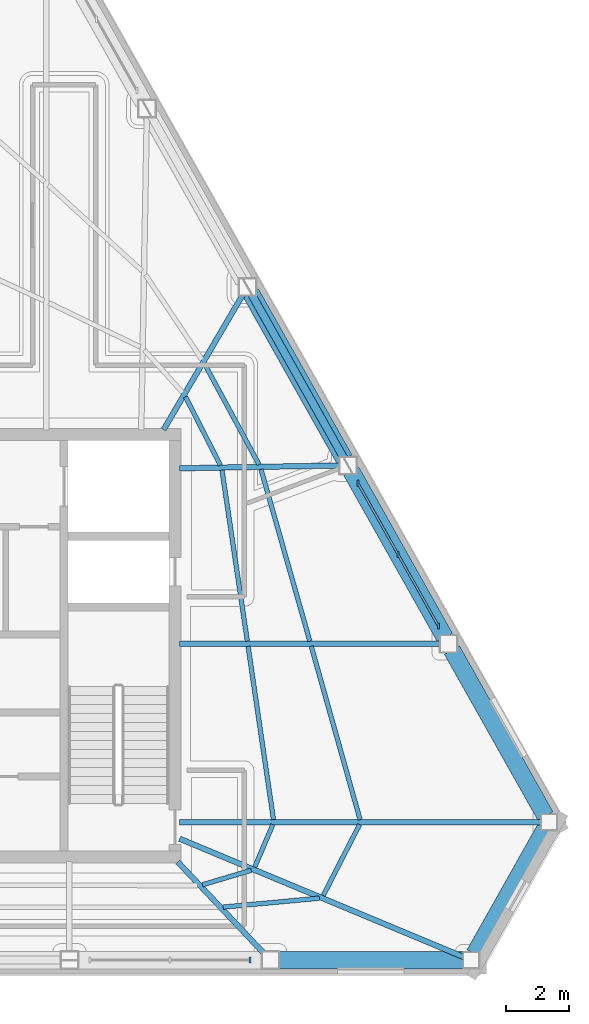
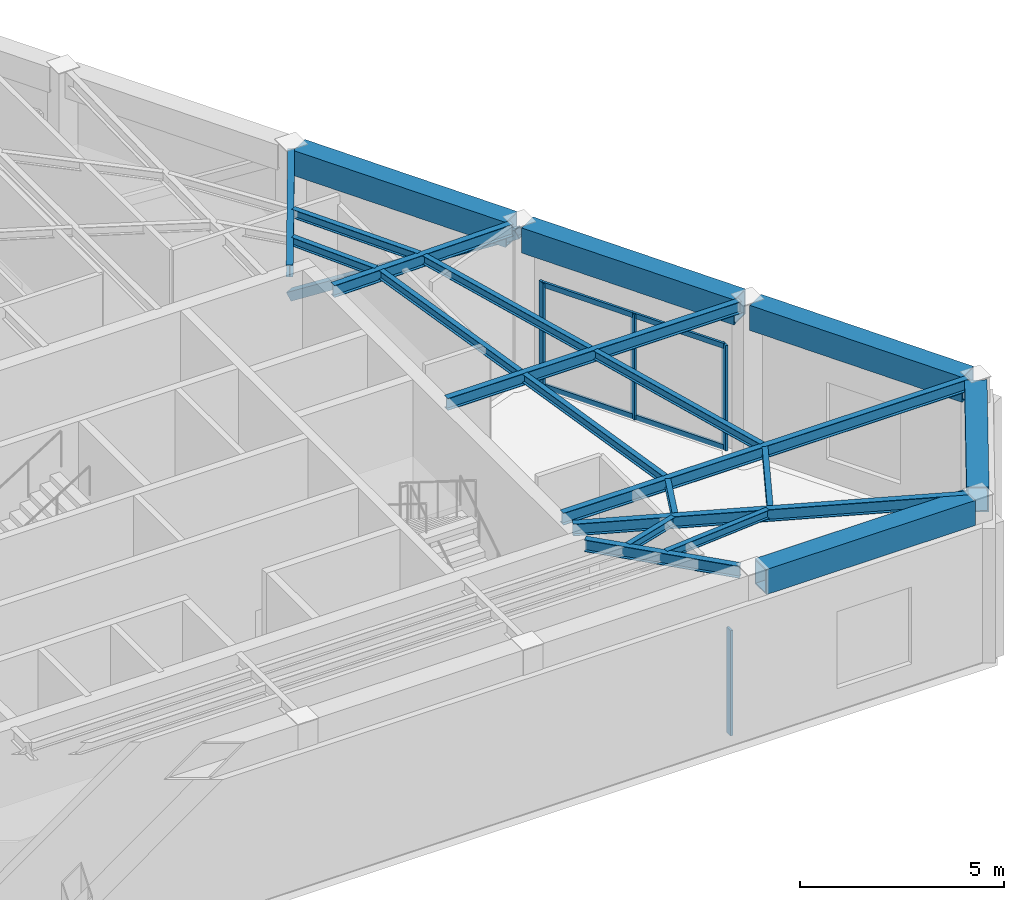
# One storey, part 4 of 15: 21 beams, 7 members, 2 elements without a shape of their own.
"""IFC4 building model written with IfcOpenShell, lengths in metres."""

from ifc_helpers import new_model, si_unit, direction, frame, origin, origin_2d, place, context, subcontext, project, spatial, rectangle, hollow_rectangle, i_section, extrude, material, layer, layer_set, material_profile, profile_set, type_object, element, aggregate, save


model = new_model("IFC4")

# Units and contexts
model_context = context("Model", 3, precision=1e-05, world=origin(), true_north=direction((0.0, 1.0)))
body_context = subcontext(model_context, "Body", "Model", "MODEL_VIEW")
ifc_project = project(units=[si_unit("LENGTHUNIT", "METRE"), si_unit("AREAUNIT", "SQUARE_METRE"), si_unit("VOLUMEUNIT", "CUBIC_METRE"), si_unit("PLANEANGLEUNIT", "RADIAN"), si_unit("MASSUNIT", "GRAM", prefix="KILO")], contexts=[model_context])

# Site, building, storey
site_placement = place(None, origin())
site = spatial("IfcSite", under=ifc_project, at=site_placement, CompositionType="ELEMENT")
building_placement = place(site_placement, origin())
building = spatial("IfcBuilding", under=site, at=building_placement, Name="Kavelnor Concourse Tower", CompositionType="ELEMENT")
storey_placement = place(building_placement, frame((0.0, 0.0, 304.949951171875)))
storey = spatial("IfcBuildingStorey", under=building, at=storey_placement, Name="L77", CompositionType="ELEMENT", Elevation=304.949951171875)

# Beams
ifc_material_1 = material(Name="Steel Grade 350", Category="steel")
ifc_material_profile_1 = material_profile(ifc_material_1, i_section(OverallWidth=0.14599609375, OverallDepth=0.256103515625, WebThickness=0.00634765625, FlangeThickness=0.010986328125, at=origin_2d()), Name="250UB37")
ifc_profile_set_1 = profile_set([ifc_material_profile_1], Name="Steel Grade 350")
beam_type_1 = type_object("IfcBeamType", Name="BM-JOIST-250", PredefinedType="JOIST", material=ifc_profile_set_1)
beam_1_placement = place(storey_placement, frame((48.583740234375, 8.52294921875, 4.64208984375), z_axis=(0.958428894954, 0.285331479715, 0.0), x_axis=(-0.285331479715, 0.958428894954, 0.0)))
element("IfcBeam", 1, at=beam_1_placement, inside=storey, type_object=beam_type_1, Name="L77 Secondary Composite Joist 07-1", PredefinedType="JOIST", context=body_context, shape_type="SweptSolid", body=[
    extrude(i_section(OverallWidth=0.14599609375, OverallDepth=0.256103515625, WebThickness=0.00634765625, FlangeThickness=0.010986328125, at=origin_2d()), origin(), (0.0, 0.0, 1.0), 1.611083984375),
])
beam_2_placement = place(storey_placement, frame((49.23876953125, 7.815185546875, 4.64208984375), z_axis=(0.995744197311, 0.092160151488, 0.0), x_axis=(-0.092160151488, 0.995744197311, 0.0)))
element("IfcBeam", 2, at=beam_2_placement, inside=storey, type_object=beam_type_1, Name="L77 Secondary Composite Joist 07-2", PredefinedType="JOIST", context=body_context, shape_type="SweptSolid", body=[
    extrude(i_section(OverallWidth=0.14599609375, OverallDepth=0.256103515625, WebThickness=0.00634765625, FlangeThickness=0.010986328125, at=origin_2d()), origin(), (0.0, 0.0, 1.0), 3.062255859375),
])
beam_3_placement = place(storey_placement, frame((50.23876953125, 9.08154296875, 4.64208984375), z_axis=(0.391408324652, 0.920217106662, 0.0), x_axis=(-0.920217106662, 0.391408324652, 0.0)))
element("IfcBeam", 3, at=beam_3_placement, inside=storey, type_object=beam_type_1, Name="L77 Secondary Composite Joist 08-1", PredefinedType="JOIST", context=body_context, shape_type="SweptSolid", body=[
    extrude(i_section(OverallWidth=0.14599609375, OverallDepth=0.256103515625, WebThickness=0.00634765625, FlangeThickness=0.010986328125, at=origin_2d()), origin(), (0.0, 0.0, 1.0), 1.4677734375),
])
beam_4_placement = place(storey_placement, frame((52.4072265625, 8.177978515625, 4.64208984375), z_axis=(0.4560879314, 0.88993471605, 0.0), x_axis=(-0.88993471605, 0.4560879314, 0.0)))
element("IfcBeam", 4, at=beam_4_placement, inside=storey, type_object=beam_type_1, Name="L77 Secondary Composite Joist 08-2", PredefinedType="JOIST", context=body_context, shape_type="SweptSolid", body=[
    extrude(i_section(OverallWidth=0.14599609375, OverallDepth=0.256103515625, WebThickness=0.00634765625, FlangeThickness=0.010986328125, at=origin_2d()), origin(), (0.0, 0.0, 1.0), 2.53564453125),
])
beam_5_placement = place(storey_placement, frame((50.83349609375, 10.588623046875, 4.64208984375), z_axis=(-0.144868491668, 0.989450918501, 0.0), x_axis=(-0.989450918501, -0.144868491668, 0.0)))
element("IfcBeam", 5, at=beam_5_placement, inside=storey, type_object=beam_type_1, Name="L77 Secondary Composite Joist 09-1", PredefinedType="JOIST", context=body_context, shape_type="SweptSolid", body=[
    extrude(i_section(OverallWidth=0.14599609375, OverallDepth=0.256103515625, WebThickness=0.00634765625, FlangeThickness=0.010986328125, at=origin_2d()), origin(), (0.0, 0.0, 1.0), 5.55126953125),
])
beam_6_placement = place(storey_placement, frame((53.578857421875, 10.58642578125, 4.64208984375), z_axis=(-0.271037737535, 0.962568722135, 0.0), x_axis=(-0.962568722135, -0.271037737535, 0.0)))
element("IfcBeam", 6, at=beam_6_placement, inside=storey, type_object=beam_type_1, Name="L77 Secondary Composite Joist 09-2", PredefinedType="JOIST", context=body_context, shape_type="SweptSolid", body=[
    extrude(i_section(OverallWidth=0.14599609375, OverallDepth=0.256103515625, WebThickness=0.00634765625, FlangeThickness=0.010986328125, at=origin_2d()), origin(), (0.0, 0.0, 1.0), 5.7109375),
])
beam_7_placement = place(storey_placement, frame((50.00537109375, 16.24365234375, 4.64208984375), z_axis=(-0.146695577191, 0.989181685856, 0.0), x_axis=(-0.989181685856, -0.146695577191, 0.0)))
element("IfcBeam", 7, at=beam_7_placement, inside=storey, type_object=beam_type_1, Name="L77 Secondary Composite Joist 10-1", PredefinedType="JOIST", context=body_context, shape_type="SweptSolid", body=[
    extrude(i_section(OverallWidth=0.14599609375, OverallDepth=0.256103515625, WebThickness=0.00634765625, FlangeThickness=0.010986328125, at=origin_2d()), origin(), (0.0, 0.0, 1.0), 5.48046875),
])
beam_8_placement = place(storey_placement, frame((51.986083984375, 16.241455078125, 4.64208984375), z_axis=(-0.273240371341, 0.961945788218, 0.0), x_axis=(-0.961945788218, -0.273240371341, 0.0)))
element("IfcBeam", 8, at=beam_8_placement, inside=storey, type_object=beam_type_1, Name="L77 Secondary Composite Joist 10-2", PredefinedType="JOIST", context=body_context, shape_type="SweptSolid", body=[
    extrude(i_section(OverallWidth=0.14599609375, OverallDepth=0.256103515625, WebThickness=0.00634765625, FlangeThickness=0.010986328125, at=origin_2d()), origin(), (0.0, 0.0, 1.0), 5.6630859375),
])
beam_9_placement = place(storey_placement, frame((49.152099609375, 21.819091796875, 4.64208984375), z_axis=(-0.454369794015, 0.89081316239, 0.0), x_axis=(-0.89081316239, -0.454369794015, 0.0)))
element("IfcBeam", 9, at=beam_9_placement, inside=storey, type_object=beam_type_1, Name="L77 Secondary Composite Joist 11-1", PredefinedType="JOIST", context=body_context, shape_type="SweptSolid", body=[
    extrude(i_section(OverallWidth=0.14599609375, OverallDepth=0.256103515625, WebThickness=0.00634765625, FlangeThickness=0.010986328125, at=origin_2d()), origin(), (0.0, 0.0, 1.0), 2.437744140625),
])
beam_10_placement = place(storey_placement, frame((50.377197265625, 21.840087890625, 4.64208984375), z_axis=(-0.476365675217, 0.879247259578, 0.0), x_axis=(-0.879247259578, -0.476365675217, 0.0)))
element("IfcBeam", 10, at=beam_10_placement, inside=storey, type_object=beam_type_1, Name="L77 Secondary Composite Joist 11-2", PredefinedType="JOIST", context=body_context, shape_type="SweptSolid", body=[
    extrude(i_section(OverallWidth=0.14599609375, OverallDepth=0.256103515625, WebThickness=0.00634765625, FlangeThickness=0.010986328125, at=origin_2d()), origin(), (0.0, 0.0, 1.0), 3.621337890625),
])
ifc_material_profile_2 = material_profile(ifc_material_1, i_section(OverallWidth=0.172119140625, OverallDepth=0.35888671875, WebThickness=0.008056640625, FlangeThickness=0.012939453125, at=origin_2d()), Name="360UB56")
ifc_profile_set_2 = profile_set([ifc_material_profile_2], Name="Steel Grade 350")
beam_type_2 = type_object("IfcBeamType", Name="BM-PRIMARY-360", PredefinedType="BEAM", material=ifc_profile_set_2)
beam_11_placement = place(storey_placement, frame((47.798583984375, 9.2490234375, 4.590576171875), z_axis=(0.685810562862, -0.727780098565, 0.0), x_axis=(0.727780098565, 0.685810562862, 0.0)))
element("IfcBeam", 11, at=beam_11_placement, inside=storey, type_object=beam_type_2, Name="L77 Primary Floor Girder F1-B5", PredefinedType="BEAM", context=body_context, shape_type="SweptSolid", body=[
    extrude(i_section(OverallWidth=0.172119140625, OverallDepth=0.35888671875, WebThickness=0.008056640625, FlangeThickness=0.012939453125, at=origin_2d()), origin(), (0.0, 0.0, 1.0), 3.96142578125),
])
beam_12_placement = place(storey_placement, frame((47.863037109375, 9.982177734375, 4.590576171875), z_axis=(0.923120563069, -0.384510631893, 0.0), x_axis=(0.384510631893, 0.923120563069, 0.0)))
element("IfcBeam", 12, at=beam_12_placement, inside=storey, type_object=beam_type_2, Name="L77 Primary Floor Girder F1-B6", PredefinedType="BEAM", context=body_context, shape_type="SweptSolid", body=[
    extrude(i_section(OverallWidth=0.172119140625, OverallDepth=0.35888671875, WebThickness=0.008056640625, FlangeThickness=0.012939453125, at=origin_2d()), origin(), (0.0, 0.0, 1.0), 9.76416015625),
])
beam_13_placement = place(storey_placement, frame((47.860107421875, 10.507568359375, 4.590576171875), z_axis=(1.0, 0.0, 0.0), x_axis=(0.0, 1.0, 0.0)))
element("IfcBeam", 13, at=beam_13_placement, inside=storey, type_object=beam_type_2, Name="L77 Primary Floor Girder F2-B0", PredefinedType="BEAM", context=body_context, shape_type="SweptSolid", body=[
    extrude(i_section(OverallWidth=0.172119140625, OverallDepth=0.35888671875, WebThickness=0.008056640625, FlangeThickness=0.012939453125, at=origin_2d()), origin(), (0.0, 0.0, 1.0), 11.482177734375),
])
beam_14_placement = place(storey_placement, frame((47.860107421875, 16.16259765625, 4.590576171875), z_axis=(1.0, 0.0, 0.0), x_axis=(0.0, 1.0, 0.0)))
element("IfcBeam", 14, at=beam_14_placement, inside=storey, type_object=beam_type_2, Name="L77 Primary Floor Girder F2-B1", PredefinedType="BEAM", context=body_context, shape_type="SweptSolid", body=[
    extrude(i_section(OverallWidth=0.172119140625, OverallDepth=0.35888671875, WebThickness=0.008056640625, FlangeThickness=0.012939453125, at=origin_2d()), origin(), (0.0, 0.0, 1.0), 8.297119140625),
])
beam_15_placement = place(storey_placement, frame((47.860107421875, 21.72216796875, 4.590576171875), z_axis=(0.999839684786, 0.017905438481, 0.0), x_axis=(-0.017905438481, 0.999839684786, 0.0)))
element("IfcBeam", 15, at=beam_15_placement, inside=storey, type_object=beam_type_2, Name="L77 Primary Floor Girder F2-B2", PredefinedType="BEAM", context=body_context, shape_type="SweptSolid", body=[
    extrude(i_section(OverallWidth=0.172119140625, OverallDepth=0.35888671875, WebThickness=0.008056640625, FlangeThickness=0.012939453125, at=origin_2d()), origin(), (0.0, 0.0, 1.0), 5.113037109375),
])
beam_16_placement = place(storey_placement, frame((47.350830078125, 22.945556640625, 4.590576171875), z_axis=(0.506127747911, 0.862458522362, 0.0), x_axis=(-0.862458522362, 0.506127747911, 0.0)))
element("IfcBeam", 16, at=beam_16_placement, inside=storey, type_object=beam_type_2, Name="L77 Primary Floor Girder F2-B3", PredefinedType="BEAM", context=body_context, shape_type="SweptSolid", body=[
    extrude(i_section(OverallWidth=0.172119140625, OverallDepth=0.35888671875, WebThickness=0.008056640625, FlangeThickness=0.012939453125, at=origin_2d()), origin(), (0.0, 0.0, 1.0), 4.9873046875),
])
ifc_material_profile_3 = material_profile(ifc_material_1, hollow_rectangle(XDim=0.550048828125, YDim=0.75, WallThickness=0.034912109375, at=origin_2d()), Name="RHS 750x550x35")
ifc_profile_set_3 = profile_set([ifc_material_profile_3], Name="Steel Grade 350")
beam_type_3 = type_object("IfcBeamType", Name="BM-XFER-CHORD-750", PredefinedType="BEAM", material=ifc_profile_set_3)
beam_17_placement = place(storey_placement, frame((50.9580078125, 6.135009765625, 4.39501953125), z_axis=(1.0, 0.0, 0.0), x_axis=(0.0, 1.0, 0.0)))
element("IfcBeam", 17, at=beam_17_placement, inside=storey, type_object=beam_type_3, Name="L77 Perimeter Tube Spandrel Beam F1-B5", PredefinedType="BEAM", context=body_context, shape_type="SweptSolid", body=[
    extrude(hollow_rectangle(XDim=0.550048828125, YDim=0.75, WallThickness=0.034912109375, at=origin_2d()), origin(), (0.0, 0.0, 1.0), 5.91650390625),
])
beam_18_placement = place(storey_placement, frame((59.451904296875, 10.70361328125, 4.39501953125), z_axis=(-0.490727487572, 0.871313108441, 0.0), x_axis=(-0.871313108441, -0.490727487572, 0.0)))
element("IfcBeam", 18, at=beam_18_placement, inside=storey, type_object=beam_type_3, Name="L77 Perimeter Tube Spandrel Beam F2-B0", PredefinedType="BEAM", context=body_context, shape_type="SweptSolid", body=[
    extrude(hollow_rectangle(XDim=0.550048828125, YDim=0.75, WallThickness=0.034912109375, at=origin_2d()), origin(), (0.0, 0.0, 1.0), 6.040283203125),
])
beam_19_placement = place(storey_placement, frame((56.266845703125, 16.3583984375, 4.39501953125), z_axis=(-0.490710205823, 0.871322841375, 0.0), x_axis=(-0.871322841375, -0.490710205823, 0.0)))
element("IfcBeam", 19, at=beam_19_placement, inside=storey, type_object=beam_type_3, Name="L77 Perimeter Tube Spandrel Beam F2-B1", PredefinedType="BEAM", context=body_context, shape_type="SweptSolid", body=[
    extrude(hollow_rectangle(XDim=0.550048828125, YDim=0.75, WallThickness=0.034912109375, at=origin_2d()), origin(), (0.0, 0.0, 1.0), 6.04052734375),
])
beam_20_placement = place(storey_placement, frame((53.08203125, 22.013427734375, 4.39501953125), z_axis=(-0.490727487572, 0.871313108441, 0.0), x_axis=(-0.871313108441, -0.490727487572, 0.0)))
element("IfcBeam", 20, at=beam_20_placement, inside=storey, type_object=beam_type_3, Name="L77 Perimeter Tube Spandrel Beam F2-B2", PredefinedType="BEAM", context=body_context, shape_type="SweptSolid", body=[
    extrude(hollow_rectangle(XDim=0.550048828125, YDim=0.75, WallThickness=0.034912109375, at=origin_2d()), origin(), (0.0, 0.0, 1.0), 6.040283203125),
])
beam_21_placement = place(storey_placement, frame((57.2099609375, 6.3310546875, 4.39501953125), z_axis=(0.490748316235, 0.871301377316, 0.0), x_axis=(-0.871301377316, 0.490748316235, 0.0)))
element("IfcBeam", 21, at=beam_21_placement, inside=storey, type_object=beam_type_3, Name="L77 Chamfer Facet Spandrel Beam C2", PredefinedType="BEAM", context=body_context, shape_type="SweptSolid", body=[
    extrude(hollow_rectangle(XDim=0.550048828125, YDim=0.75, WallThickness=0.034912109375, at=origin_2d()), origin(), (0.0, 0.0, 1.0), 4.568359375),
])

# Curtain wall, member
ifc_material_2 = material(Name="Anodised aluminium 6063-T6", Category="aluminium")
ifc_layer = layer(ifc_material_2, 0.195068359375, Name="Anodised aluminium 6063-T6")
ifc_layer_set = layer_set([ifc_layer], Name="Anodised aluminium 6063-T6")
curtain_wall_type = type_object("IfcCurtainWallType", Name="CW-OBSERVATION-L77", PredefinedType="NOTDEFINED", material=ifc_layer_set)
curtain_wall_1_placement = place(storey_placement, origin())
curtain_wall_1 = element("IfcCurtainWall", 22, at=curtain_wall_1_placement, inside=storey, type_object=curtain_wall_type, Name="L77 Feature Curtain Wall F1-B4", PredefinedType="NOTDEFINED")
ifc_material_profile_4 = material_profile(ifc_material_2, rectangle(XDim=0.06494140625, YDim=0.195068359375, at=origin_2d()), Name="AL-MULL 65x195")
ifc_profile_set_4 = profile_set([ifc_material_profile_4], Name="Anodised aluminium 6063-T6")
member_type_1 = type_object("IfcMemberType", Name="CW-OBSERVATION-L77-MULL", PredefinedType="MULLION", material=ifc_profile_set_4)
member_1_placement = place(storey_placement, frame((50.0830078125, 6.135009765625, 0.0), z_axis=(0.0, 0.0, 1.0), x_axis=(1.0, 0.0, 0.0)))
member_1 = element("IfcMember", 23, at=member_1_placement, type_object=member_type_1, Name="L77 Feature Curtain Wall F1-B4 Mullion 2", PredefinedType="MULLION", context=body_context, shape_type="SweptSolid", body=[
    extrude(rectangle(XDim=0.06494140625, YDim=0.195068359375, at=origin_2d()), origin(), (0.0, 0.0, 1.0), 3.150146484375),
])
aggregate(curtain_wall_1, [member_1])

# Curtain wall, members
curtain_wall_2_placement = place(storey_placement, origin())
curtain_wall_2 = element("IfcCurtainWall", 24, at=curtain_wall_2_placement, inside=storey, type_object=curtain_wall_type, Name="L77 Feature Curtain Wall F2-B1", PredefinedType="NOTDEFINED")
member_2_placement = place(storey_placement, frame((56.058349609375, 16.72900390625, 0.0), z_axis=(0.0, 0.0, 1.0), x_axis=(1.0, 0.0, 0.0)))
member_2 = element("IfcMember", 25, at=member_2_placement, type_object=member_type_1, Name="L77 Feature Curtain Wall F2-B1 Mullion 0", PredefinedType="MULLION", context=body_context, shape_type="SweptSolid", body=[
    extrude(rectangle(XDim=0.06494140625, YDim=0.195068359375, at=origin_2d()), origin(), (0.0, 0.0, 1.0), 3.150146484375),
])
member_3_placement = place(storey_placement, frame((54.784912109375, 18.989990234375, 0.0), z_axis=(0.0, 0.0, 1.0), x_axis=(1.0, 0.0, 0.0)))
member_3 = element("IfcMember", 26, at=member_3_placement, type_object=member_type_1, Name="L77 Feature Curtain Wall F2-B1 Mullion 1", PredefinedType="MULLION", context=body_context, shape_type="SweptSolid", body=[
    extrude(rectangle(XDim=0.06494140625, YDim=0.195068359375, at=origin_2d()), origin(), (0.0, 0.0, 1.0), 3.150146484375),
])
member_4_placement = place(storey_placement, frame((53.511474609375, 21.251220703125, 0.0), z_axis=(0.0, 0.0, 1.0), x_axis=(1.0, 0.0, 0.0)))
member_4 = element("IfcMember", 27, at=member_4_placement, type_object=member_type_1, Name="L77 Feature Curtain Wall F2-B1 Mullion 2", PredefinedType="MULLION", context=body_context, shape_type="SweptSolid", body=[
    extrude(rectangle(XDim=0.06494140625, YDim=0.195068359375, at=origin_2d()), origin(), (0.0, 0.0, 1.0), 3.150146484375),
])
ifc_material_profile_5 = material_profile(ifc_material_2, rectangle(XDim=0.06494140625, YDim=0.155029296875, at=origin_2d()), Name="AL-TRAN 65x155")
ifc_profile_set_5 = profile_set([ifc_material_profile_5], Name="Anodised aluminium 6063-T6")
member_type_2 = type_object("IfcMemberType", Name="CW-OBSERVATION-L77-TRAN", PredefinedType="USERDEFINED", material=ifc_profile_set_5)
member_5_placement = place(storey_placement, frame((56.058349609375, 16.72900390625, 0.06005859375), z_axis=(-0.49071900726, 0.871317884537, 0.0), x_axis=(-0.871317884537, -0.49071900726, 0.0)))
member_5 = element("IfcMember", 28, at=member_5_placement, type_object=member_type_2, Name="L77 Feature Curtain Wall F2-B1 Transom 0-BOT", ObjectType="TRANSOM", PredefinedType="USERDEFINED", context=body_context, shape_type="SweptSolid", body=[
    extrude(rectangle(XDim=0.06494140625, YDim=0.155029296875, at=origin_2d()), origin(), (0.0, 0.0, 1.0), 5.190185546875),
])
member_6_placement = place(storey_placement, frame((56.058349609375, 16.72900390625, 3.090087890625), z_axis=(-0.49071900726, 0.871317884537, 0.0), x_axis=(-0.871317884537, -0.49071900726, 0.0)))
member_6 = element("IfcMember", 29, at=member_6_placement, type_object=member_type_2, Name="L77 Feature Curtain Wall F2-B1 Transom 0-TOP", ObjectType="TRANSOM", PredefinedType="USERDEFINED", context=body_context, shape_type="SweptSolid", body=[
    extrude(rectangle(XDim=0.06494140625, YDim=0.155029296875, at=origin_2d()), origin(), (0.0, 0.0, 1.0), 5.190185546875),
])
aggregate(curtain_wall_2, [member_2, member_3, member_4, member_5, member_6])

# Member
ifc_material_profile_6 = material_profile(ifc_material_1, hollow_rectangle(XDim=0.25, YDim=0.25, WallThickness=0.01611328125, at=origin_2d()), Name="SHS 250x250x16")
ifc_profile_set_6 = profile_set([ifc_material_profile_6], Name="Steel Grade 350")
member_type_3 = type_object("IfcMemberType", Name="MBR-TUBE-DIAG-Z4", PredefinedType="BRACE", material=ifc_profile_set_6)
member_7_placement = place(storey_placement, frame((50.00732421875, 27.472412109375, 0.219970703125), z_axis=(0.412722701899, -0.732783684201, 0.541006509671), x_axis=(0.871305170482, 0.490741581579, 0.0)))
element("IfcMember", 30, at=member_7_placement, inside=storey, type_object=member_type_3, Name="L77 Framed-Tube Bracing Diagonal F2-B2", PredefinedType="BRACE", context=body_context, shape_type="SweptSolid", body=[
    extrude(hollow_rectangle(XDim=0.25, YDim=0.25, WallThickness=0.01611328125, at=origin_2d()), origin(), (0.0, 0.0, 1.0), 7.71728515625),
])

save(model, "model.ifc")
